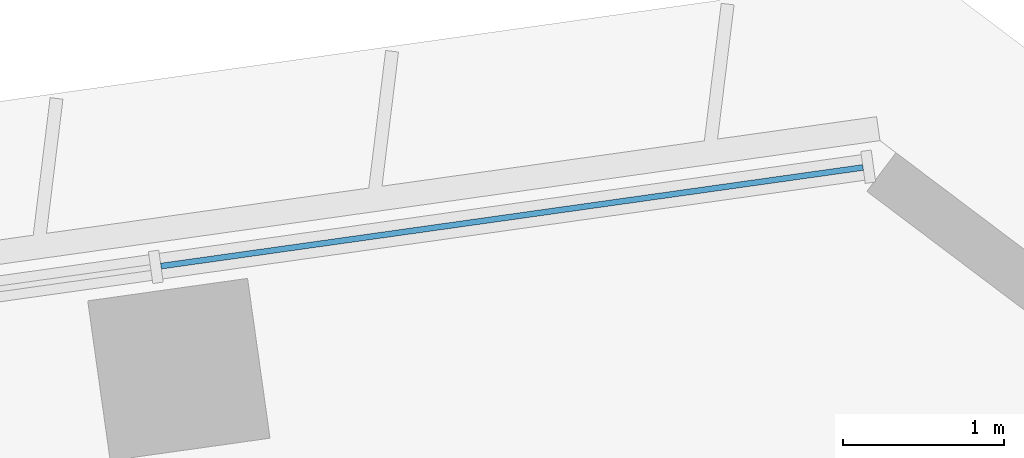
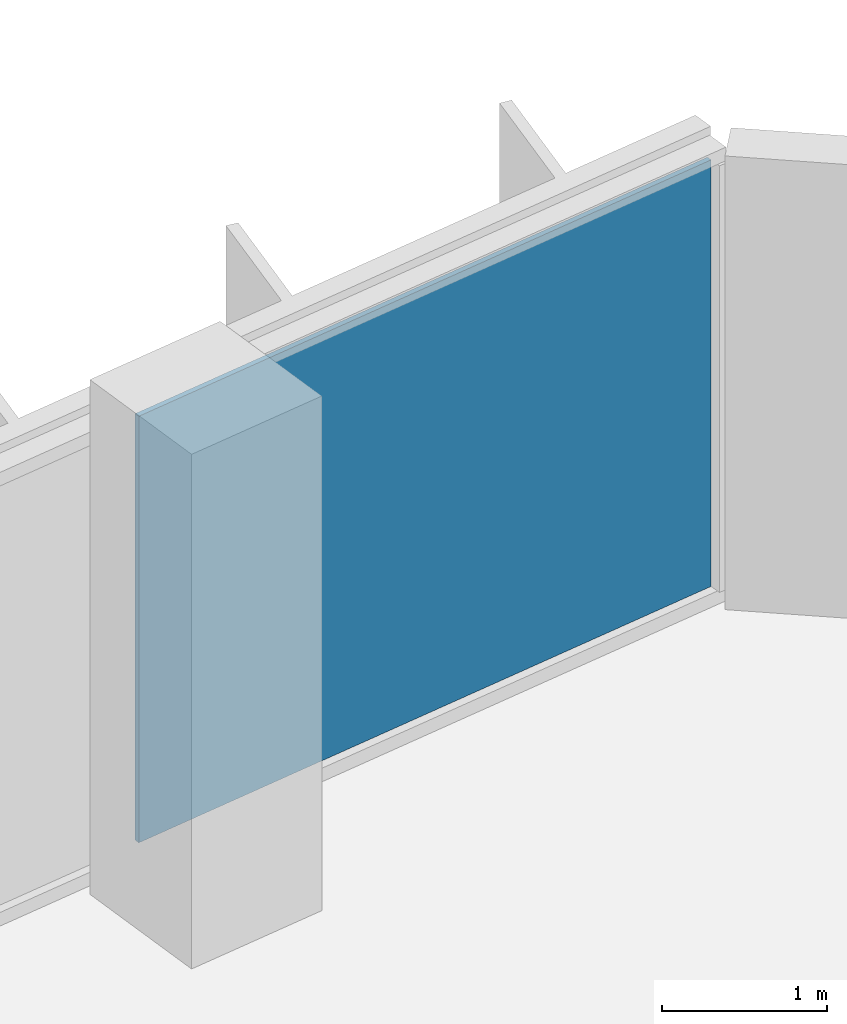
# One storey, part 13 of 25: 1 plate, 1 element without a shape of its own.
"""IFC4 building model written with IfcOpenShell, lengths in metres."""

import ifcopenshell
import ifcopenshell.guid

model = None  # the IFC model being written
_history = None  # IfcOwnerHistory: only IFC2X3 demands one
_inside = {}  # id of a spatial element -> (the spatial element, [elements in it])
_under = {}  # id of a project, library or spatial element -> (it, [spatial elements below it])
_declared = {}  # id of a project -> (the project, [libraries it declares])
_typed = {}  # id of a type object -> (the type object, [elements of that type])
_made_of = {}  # id of a material, layer set ... -> (it, [elements and type objects made of it])


def new_model(schema):
    """Start an empty IFC model of exactly this schema.

    Asked for "IFC4X3", IfcOpenShell would pick the latest addendum, in which some entities
    have other attributes; the version numbers below select the first issue.
    IFC2X3 requires an IfcOwnerHistory on every rooted entity: one is made here for all.
    """
    global model, _history
    if schema == "IFC4X3":
        model = ifcopenshell.file(schema_version=(4, 3, 0, 0))
    else:
        model = ifcopenshell.file(schema=schema)
    _inside.clear()
    _under.clear()
    _declared.clear()
    _typed.clear()
    _made_of.clear()
    _history = None
    if model.schema == "IFC2X3":
        org = make("IfcOrganization", Name="unknown")
        user = make(
            "IfcPersonAndOrganization",
            ThePerson=make("IfcPerson", FamilyName="unknown"),
            TheOrganization=org,
        )
        app = make(
            "IfcApplication",
            ApplicationDeveloper=org,
            Version="unknown",
            ApplicationFullName="unknown",
            ApplicationIdentifier="unknown",
        )
        _history = make(
            "IfcOwnerHistory",
            OwningUser=user,
            OwningApplication=app,
            ChangeAction="ADDED",
            CreationDate=0,
        )
    return model


def make(cls, **values):
    """One entity of the class cls with the attributes given. An attribute that is None is left unset."""
    return model.create_entity(
        cls, **{name: value for name, value in values.items() if value is not None}
    )


def rooted(cls, **values):
    """An entity with a GlobalId (a new one), such as an element, a storey or a relation."""
    return make(cls, GlobalId=ifcopenshell.guid.new(), OwnerHistory=_history, **values)


def si_unit(unit_type, name, prefix=None):
    """IfcSIUnit, for example si_unit("LENGTHUNIT", "METRE", prefix="MILLI")."""
    return make("IfcSIUnit", UnitType=unit_type, Prefix=prefix, Name=name)


def assignment(units):
    """IfcUnitAssignment: the units of a project."""
    return None if units is None else make("IfcUnitAssignment", Units=units)


def point(xyz):
    """IfcCartesianPoint."""
    return None if xyz is None else make("IfcCartesianPoint", Coordinates=xyz)


def direction(xyz):
    """IfcDirection."""
    return None if xyz is None else make("IfcDirection", DirectionRatios=xyz)


def frame(location, z_axis=None, x_axis=None):
    """IfcAxis2Placement3D, a coordinate frame: its origin and axes. An axis left out is left unset."""
    return make(
        "IfcAxis2Placement3D",
        Location=point(location),
        Axis=direction(z_axis),
        RefDirection=direction(x_axis),
    )


def frame_2d(location, x_axis=None):
    """IfcAxis2Placement2D, a coordinate frame in the plane: its origin and x axis."""
    return make(
        "IfcAxis2Placement2D", Location=point(location), RefDirection=direction(x_axis)
    )


def origin():
    """The frame at (0, 0, 0) with its axes left unset."""
    return frame((0.0, 0.0, 0.0))


def origin_2d():
    """The frame at (0, 0) in the plane with its x axis left unset."""
    return frame_2d((0.0, 0.0))


def place(relative_to, where):
    """IfcLocalPlacement: puts the frame where relative to a parent placement (None: the world)."""
    return make(
        "IfcLocalPlacement", PlacementRelTo=relative_to, RelativePlacement=where
    )


def context(
    kind, dimensions, precision=None, world=None, true_north=None, identifier=None
):
    """IfcGeometricRepresentationContext, for example the 3D "Model" context."""
    return make(
        "IfcGeometricRepresentationContext",
        ContextIdentifier=identifier,
        ContextType=kind,
        CoordinateSpaceDimension=dimensions,
        Precision=precision,
        WorldCoordinateSystem=world,
        TrueNorth=true_north,
    )


def subcontext(parent, identifier, kind, view, scale=None):
    """IfcGeometricRepresentationSubContext, for example "Body" below "Model"."""
    return make(
        "IfcGeometricRepresentationSubContext",
        ContextIdentifier=identifier,
        ContextType=kind,
        ParentContext=parent,
        TargetScale=scale,
        TargetView=view,
    )


def project(units=None, contexts=None):
    """IfcProject with its units and contexts."""
    return rooted(
        "IfcProject",
        Name="project",
        RepresentationContexts=contexts,
        UnitsInContext=assignment(units),
    )


def spatial(cls, under=None, at=None, **own):
    """A site, building, storey or space (cls), placed at a placement, below another one or the project."""
    s = rooted(cls, ObjectPlacement=at, **own)
    if under is not None:
        _under.setdefault(under.id(), (under, []))[1].append(s)
    return s


def profile(cls, at=None, kind="AREA", **sizes):
    """A parametric profile (cls). Its sizes go by their IFC names, for example OverallWidth=200.0."""
    return make(cls, ProfileType=kind, Position=at, **sizes)


def rectangle(**sizes):
    """IfcRectangleProfileDef."""
    return profile("IfcRectangleProfileDef", **sizes)


def extrude(swept, where, along, depth):
    """IfcExtrudedAreaSolid: the profile swept, set in the frame where, extruded along a direction by depth."""
    return make(
        "IfcExtrudedAreaSolid",
        SweptArea=swept,
        Position=where,
        ExtrudedDirection=direction(along),
        Depth=depth,
    )


def shape(context_of_items, identifier, shape_type, items):
    """IfcShapeRepresentation: the items that make up one representation, for example the "Body"."""
    return make(
        "IfcShapeRepresentation",
        ContextOfItems=context_of_items,
        RepresentationIdentifier=identifier,
        RepresentationType=shape_type,
        Items=items,
    )


def material(Name=None, Category=None):
    """IfcMaterial."""
    return make("IfcMaterial", Name=Name, Category=Category)


def layer(
    of_material, thickness, ventilated=None, Name=None, Category=None, Priority=None
):
    """IfcMaterialLayer: one layer of a wall or slab, of a material (None: an air gap)."""
    return make(
        "IfcMaterialLayer",
        Material=of_material,
        LayerThickness=thickness,
        IsVentilated=ventilated,
        Name=Name,
        Category=Category,
        Priority=Priority,
    )


def layer_set(layers, Name=None):
    """IfcMaterialLayerSet."""
    return make("IfcMaterialLayerSet", MaterialLayers=layers, LayerSetName=Name)


def made_of(thing, what):
    """Note that an element or type object is made of a material, layer set ...; save() writes the relation."""
    if what is not None:
        _made_of.setdefault(what.id(), (what, []))[1].append(thing)
    return thing


def type_object(cls, material=None, **own):
    """A type object (cls), such as IfcWallType, which elements share."""
    return made_of(rooted(cls, **own), material)


def element(
    cls,
    number,
    at=None,
    inside=None,
    cuts=None,
    type_object=None,
    material=None,
    context=None,
    identifier="Body",
    shape_type=None,
    held_by="IfcProductDefinitionShape",
    body=None,
    shapes=None,
    **own,
):
    """One element of the class cls, such as IfcWall. Its Tag is "e" and its number.

    at: its placement. inside: the storey or other place that contains it. cuts: it is an
    opening in that element (IfcRelVoidsElement). A single representation is given by context,
    identifier, shape_type and body (its items); several are given by shapes. held_by: the class
    of the entity that holds the representations. save() writes the other relations.
    """
    e = rooted(cls, Tag="e%d" % number, ObjectPlacement=at, **own)
    if body is not None:
        shapes = [shape(context, identifier, shape_type, body)]
    if shapes is not None:
        e.Representation = make(held_by, Representations=shapes)
    if inside is not None:
        _inside.setdefault(inside.id(), (inside, []))[1].append(e)
    if cuts is not None:
        rooted(
            "IfcRelVoidsElement", RelatingBuildingElement=cuts, RelatedOpeningElement=e
        )
    if type_object is not None:
        _typed.setdefault(type_object.id(), (type_object, []))[1].append(e)
    return made_of(e, material)


def aggregate(whole, parts):
    """IfcRelAggregates: a whole, such as a stair, and the parts it consists of."""
    return rooted("IfcRelAggregates", RelatingObject=whole, RelatedObjects=parts)


def save(model, path):
    """Write the relations noted so far, then the file.

    IfcRelAggregates (storeys below a building ...), IfcRelContainedInSpatialStructure (elements
    in a storey), IfcRelDefinesByType, IfcRelAssociatesMaterial and IfcRelDeclares: one each for
    every whole, place, type object, material and project.
    """
    for whole, parts in _under.values():
        aggregate(whole, parts)
    for where, things in _inside.values():
        rooted(
            "IfcRelContainedInSpatialStructure",
            RelatedElements=things,
            RelatingStructure=where,
        )
    for kind, things in _typed.values():
        rooted("IfcRelDefinesByType", RelatedObjects=things, RelatingType=kind)
    for what, things in _made_of.values():
        rooted("IfcRelAssociatesMaterial", RelatedObjects=things, RelatingMaterial=what)
    for by, libraries in _declared.values():
        rooted("IfcRelDeclares", RelatingContext=by, RelatedDefinitions=libraries)
    model.write(path)


model = new_model("IFC4")

# Units and contexts
model_context = context("Model", 3, precision=1e-05, world=origin(), true_north=direction((0.0, 1.0)))
body_context = subcontext(model_context, "Body", "Model", "MODEL_VIEW")
ifc_project = project(units=[si_unit("LENGTHUNIT", "METRE"), si_unit("AREAUNIT", "SQUARE_METRE"), si_unit("VOLUMEUNIT", "CUBIC_METRE"), si_unit("PLANEANGLEUNIT", "RADIAN"), si_unit("MASSUNIT", "GRAM", prefix="KILO")], contexts=[model_context])

# Site, building, storey
site_placement = place(None, origin())
site = spatial("IfcSite", under=ifc_project, at=site_placement, CompositionType="ELEMENT")
building_placement = place(site_placement, origin())
building = spatial("IfcBuilding", under=site, at=building_placement, Name="Mirante Cascada Hotel Towers", CompositionType="ELEMENT")
storey_placement = place(building_placement, frame((0.0, 0.0, 54.7)))
storey = spatial("IfcBuildingStorey", under=building, at=storey_placement, Name="L10", CompositionType="ELEMENT", Elevation=54.7)

# Curtain wall, plate
ifc_material_1 = material(Name="Aluminium mullion and transom frame with clear laminated glass", Category="aluminium")
curtain_wall_type = type_object("IfcCurtainWallType", Name="Ribbon curtain wall ECW1", PredefinedType="NOTDEFINED", material=ifc_material_1)
curtain_wall_placement = place(storey_placement, origin())
curtain_wall = element("IfcCurtainWall", 1, at=curtain_wall_placement, inside=storey, type_object=curtain_wall_type, Name="Front ribbon wall T2 L10", PredefinedType="NOTDEFINED")
ifc_material_2 = material(Name="Clear laminated glass", Category="glass")
ifc_layer = layer(ifc_material_2, 0.036)
ifc_layer_set = layer_set([ifc_layer], Name="ECW1 glass panel 36")
plate_type = type_object("IfcPlateType", Name="ECW1 glass panel 36", PredefinedType="CURTAIN_PANEL", material=ifc_layer_set)
plate_placement = place(storey_placement, frame((91.9184, 25.7373, 0.1), z_axis=(0.0, 0.0, 1.0), x_axis=(-0.9902681, -0.1391731, 0.0)))
plate = element("IfcPlate", 2, at=plate_placement, type_object=plate_type, Name="ECW1 panel 1", PredefinedType="CURTAIN_PANEL", context=body_context, shape_type="SweptSolid", body=[
    extrude(rectangle(XDim=4.3936, YDim=0.036, at=origin_2d()), origin(), (0.0, 0.0, 1.0), 3.15),
])
aggregate(curtain_wall, [plate])

save(model, "model.ifc")
